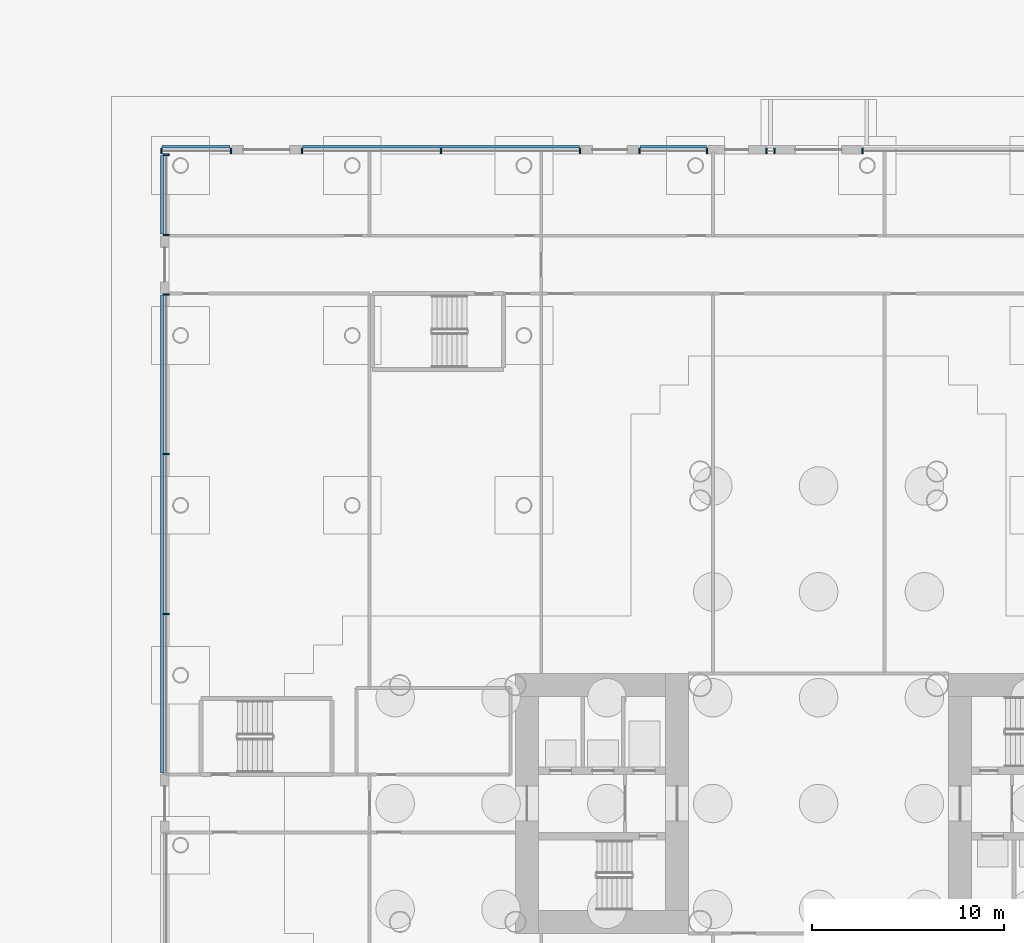
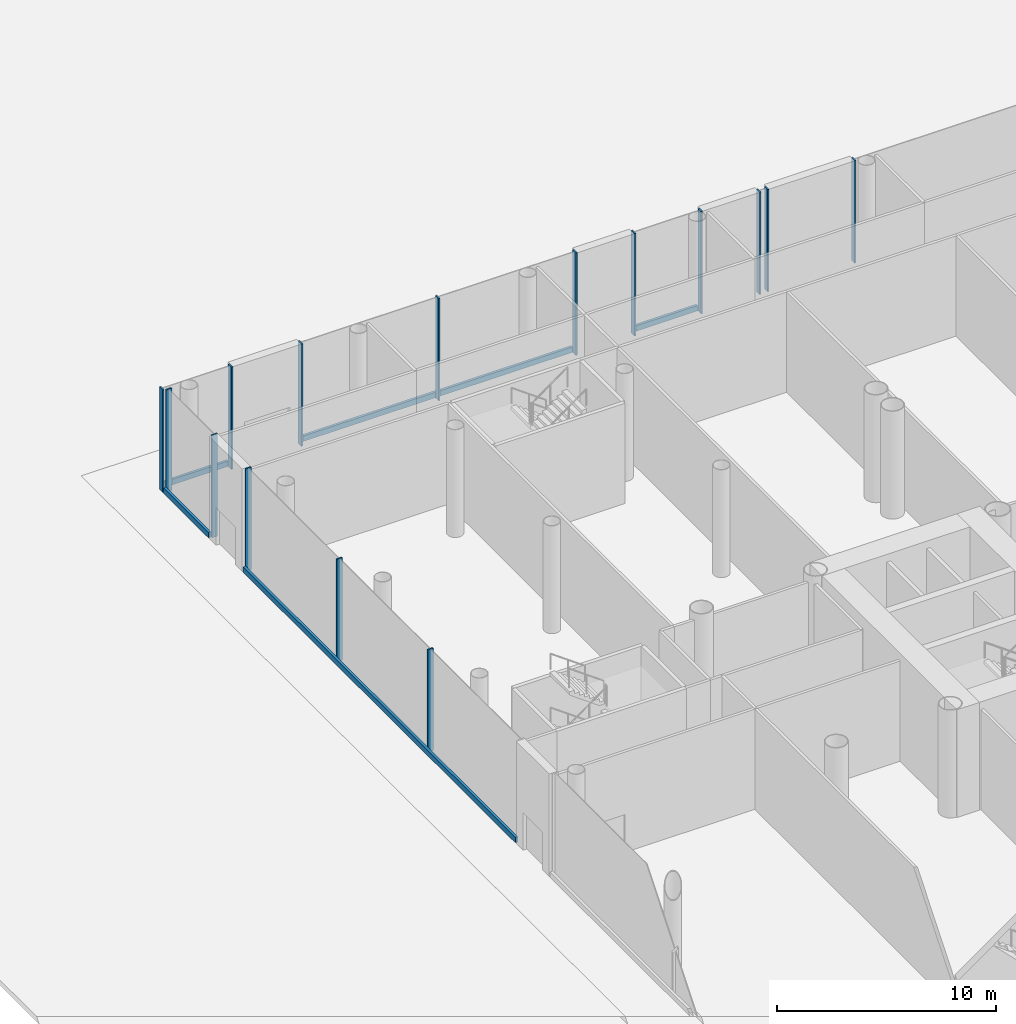
# One storey, part 11 of 75: 20 members, 7 elements without a shape of their own.
"""IFC4 building model written with IfcOpenShell, lengths in metres."""

from ifc_helpers import new_model, si_unit, direction, frame, origin, origin_2d, place, context, subcontext, project, spatial, rectangle, extrude, material, layer, layer_set, material_profile, profile_set, type_object, element, aggregate, save


model = new_model("IFC4")

# Units and contexts
model_context = context("Model", 3, precision=1e-05, world=origin(), true_north=direction((0.0, 1.0)))
body_context = subcontext(model_context, "Body", "Model", "MODEL_VIEW")
ifc_project = project(units=[si_unit("LENGTHUNIT", "METRE"), si_unit("AREAUNIT", "SQUARE_METRE"), si_unit("VOLUMEUNIT", "CUBIC_METRE"), si_unit("PLANEANGLEUNIT", "RADIAN"), si_unit("MASSUNIT", "GRAM", prefix="KILO")], contexts=[model_context])

# Site, building, storey
site_placement = place(None, origin())
site = spatial("IfcSite", under=ifc_project, at=site_placement, CompositionType="ELEMENT")
building_placement = place(site_placement, origin())
building = spatial("IfcBuilding", under=site, at=building_placement, Name="Ipe Terrace Towers", CompositionType="ELEMENT")
storey_placement = place(building_placement, origin())
storey = spatial("IfcBuildingStorey", under=building, at=storey_placement, Name="L00", CompositionType="ELEMENT", Elevation=0.0)

# Curtain wall, member
ifc_material_1 = material(Name="Aluminium alloy 6063-T6", Category="aluminium")
ifc_layer = layer(ifc_material_1, 0.43994140625)
ifc_layer_set = layer_set([ifc_layer], Name="PODIUM GLAZING CURTAIN WALL")
curtain_wall_type = type_object("IfcCurtainWallType", Name="PODIUM GLAZING CURTAIN WALL", PredefinedType="NOTDEFINED", material=ifc_layer_set)
curtain_wall_1_placement = place(storey_placement, origin())
curtain_wall_1 = element("IfcCurtainWall", 1, at=curtain_wall_1_placement, inside=storey, type_object=curtain_wall_type, Name="POD-CW-L00-01s curtain wall", PredefinedType="NOTDEFINED")
ifc_material_2 = material(Name="Aluminium alloy 6063-T6", Category="aluminium")
ifc_material_profile_1 = material_profile(ifc_material_2, rectangle(XDim=0.300048828125, YDim=0.080078125, at=origin_2d()), Name="PODIUM GLAZING MULLION 300 x 80")
ifc_profile_set_1 = profile_set([ifc_material_profile_1], Name="Aluminium alloy 6063-T6")
member_type_1 = type_object("IfcMemberType", Name="PODIUM GLAZING MULLION 300 x 80", PredefinedType="MULLION", material=ifc_profile_set_1)
member_1_placement = place(storey_placement, frame((-33.7099609375, 33.89990234375, 0.0), z_axis=(0.0, 0.0, 1.0), x_axis=(0.0, 1.0, 0.0)))
member_1 = element("IfcMember", 2, at=member_1_placement, type_object=member_type_1, Name="POD-CW-L00-01s mullion 2", PredefinedType="MULLION", context=body_context, shape_type="SweptSolid", body=[
    extrude(rectangle(XDim=0.300048828125, YDim=0.080078125, at=origin_2d()), origin(), (0.0, 0.0, 1.0), 5.699951171875),
])
aggregate(curtain_wall_1, [member_1])

# Curtain wall, members
curtain_wall_2_placement = place(storey_placement, origin())
curtain_wall_2 = element("IfcCurtainWall", 3, at=curtain_wall_2_placement, inside=storey, type_object=curtain_wall_type, Name="POD-CW-L00-01u curtain wall", PredefinedType="NOTDEFINED")
member_2_placement = place(storey_placement, frame((-38.2900390625, 33.89990234375, 0.0), z_axis=(0.0, 0.0, 1.0), x_axis=(0.0, 1.0, 0.0)))
member_2 = element("IfcMember", 4, at=member_2_placement, type_object=member_type_1, Name="POD-CW-L00-01u mullion 1", PredefinedType="MULLION", context=body_context, shape_type="SweptSolid", body=[
    extrude(rectangle(XDim=0.300048828125, YDim=0.080078125, at=origin_2d()), origin(), (0.0, 0.0, 1.0), 5.699951171875),
])
member_3_placement = place(storey_placement, frame((-38.7099609375, 33.89990234375, 0.0), z_axis=(0.0, 0.0, 1.0), x_axis=(0.0, 1.0, 0.0)))
member_3 = element("IfcMember", 5, at=member_3_placement, type_object=member_type_1, Name="POD-CW-L00-01u mullion 2", PredefinedType="MULLION", context=body_context, shape_type="SweptSolid", body=[
    extrude(rectangle(XDim=0.300048828125, YDim=0.080078125, at=origin_2d()), origin(), (0.0, 0.0, 1.0), 5.699951171875),
])
aggregate(curtain_wall_2, [member_2, member_3])

curtain_wall_3_placement = place(storey_placement, origin())
curtain_wall_3 = element("IfcCurtainWall", 6, at=curtain_wall_3_placement, inside=storey, type_object=curtain_wall_type, Name="POD-CW-L00-01w curtain wall", PredefinedType="NOTDEFINED")
member_4_placement = place(storey_placement, frame((-41.7900390625, 33.89990234375, 0.0), z_axis=(0.0, 0.0, 1.0), x_axis=(0.0, 1.0, 0.0)))
member_4 = element("IfcMember", 7, at=member_4_placement, type_object=member_type_1, Name="POD-CW-L00-01w mullion 1", PredefinedType="MULLION", context=body_context, shape_type="SweptSolid", body=[
    extrude(rectangle(XDim=0.300048828125, YDim=0.080078125, at=origin_2d()), origin(), (0.0, 0.0, 1.0), 5.699951171875),
])
member_5_placement = place(storey_placement, frame((-45.31005859375, 33.89990234375, 0.0), z_axis=(0.0, 0.0, 1.0), x_axis=(0.0, 1.0, 0.0)))
member_5 = element("IfcMember", 8, at=member_5_placement, type_object=member_type_1, Name="POD-CW-L00-01w mullion 2", PredefinedType="MULLION", context=body_context, shape_type="SweptSolid", body=[
    extrude(rectangle(XDim=0.300048828125, YDim=0.080078125, at=origin_2d()), origin(), (0.0, 0.0, 1.0), 5.699951171875),
])

curtain_wall_4_placement = place(storey_placement, origin())
curtain_wall_4 = element("IfcCurtainWall", 9, at=curtain_wall_4_placement, inside=storey, type_object=curtain_wall_type, Name="POD-CW-L00-01y curtain wall", PredefinedType="NOTDEFINED")
member_6_placement = place(storey_placement, frame((-48.389892578125, 33.89990234375, 0.0), z_axis=(0.0, 0.0, 1.0), x_axis=(0.0, 1.0, 0.0)))
member_6 = element("IfcMember", 10, at=member_6_placement, type_object=member_type_1, Name="POD-CW-L00-01y mullion 1", PredefinedType="MULLION", context=body_context, shape_type="SweptSolid", body=[
    extrude(rectangle(XDim=0.300048828125, YDim=0.080078125, at=origin_2d()), origin(), (0.0, 0.0, 1.0), 5.699951171875),
])
member_7_placement = place(storey_placement, frame((-55.6201171875, 33.89990234375, 0.0), z_axis=(0.0, 0.0, 1.0), x_axis=(0.0, 1.0, 0.0)))
member_7 = element("IfcMember", 11, at=member_7_placement, type_object=member_type_1, Name="POD-CW-L00-01y mullion 2", PredefinedType="MULLION", context=body_context, shape_type="SweptSolid", body=[
    extrude(rectangle(XDim=0.300048828125, YDim=0.080078125, at=origin_2d()), origin(), (0.0, 0.0, 1.0), 5.699951171875),
])
member_8_placement = place(storey_placement, frame((-62.85009765625, 33.89990234375, 0.0), z_axis=(0.0, 0.0, 1.0), x_axis=(0.0, 1.0, 0.0)))
member_8 = element("IfcMember", 12, at=member_8_placement, type_object=member_type_1, Name="POD-CW-L00-01y mullion 3", PredefinedType="MULLION", context=body_context, shape_type="SweptSolid", body=[
    extrude(rectangle(XDim=0.300048828125, YDim=0.080078125, at=origin_2d()), origin(), (0.0, 0.0, 1.0), 5.699951171875),
])

curtain_wall_5_placement = place(storey_placement, origin())
curtain_wall_5 = element("IfcCurtainWall", 13, at=curtain_wall_5_placement, inside=storey, type_object=curtain_wall_type, Name="POD-CW-L00-01{ curtain wall", PredefinedType="NOTDEFINED")
member_9_placement = place(storey_placement, frame((-66.530029296875, 33.89990234375, 0.0), z_axis=(0.0, 0.0, 1.0), x_axis=(0.0, 1.0, 0.0)))
member_9 = element("IfcMember", 14, at=member_9_placement, type_object=member_type_1, Name="POD-CW-L00-01{ mullion 1", PredefinedType="MULLION", context=body_context, shape_type="SweptSolid", body=[
    extrude(rectangle(XDim=0.300048828125, YDim=0.080078125, at=origin_2d()), origin(), (0.0, 0.0, 1.0), 5.699951171875),
])
member_10_placement = place(storey_placement, frame((-70.14990234375, 33.89990234375, 0.0), z_axis=(0.0, 0.0, 1.0), x_axis=(0.0, 1.0, 0.0)))
member_10 = element("IfcMember", 15, at=member_10_placement, type_object=member_type_1, Name="POD-CW-L00-01{ mullion 2", PredefinedType="MULLION", context=body_context, shape_type="SweptSolid", body=[
    extrude(rectangle(XDim=0.300048828125, YDim=0.080078125, at=origin_2d()), origin(), (0.0, 0.0, 1.0), 5.699951171875),
])

curtain_wall_6_placement = place(storey_placement, origin())
curtain_wall_6 = element("IfcCurtainWall", 16, at=curtain_wall_6_placement, inside=storey, type_object=curtain_wall_type, Name="POD-CW-L00-02a curtain wall", PredefinedType="NOTDEFINED")
member_11_placement = place(storey_placement, frame((-69.89990234375, 33.7099609375, 0.0), z_axis=(0.0, 0.0, 1.0), x_axis=(-1.0, 0.0, 0.0)))
member_11 = element("IfcMember", 17, at=member_11_placement, type_object=member_type_1, Name="POD-CW-L00-02a mullion 1", PredefinedType="MULLION", context=body_context, shape_type="SweptSolid", body=[
    extrude(rectangle(XDim=0.300048828125, YDim=0.080078125, at=origin_2d()), origin(), (0.0, 0.0, 1.0), 5.699951171875),
])
member_12_placement = place(storey_placement, frame((-69.89990234375, 29.5400390625, 0.0), z_axis=(0.0, 0.0, 1.0), x_axis=(-1.0, 0.0, 0.0)))
member_12 = element("IfcMember", 18, at=member_12_placement, type_object=member_type_1, Name="POD-CW-L00-02a mullion 2", PredefinedType="MULLION", context=body_context, shape_type="SweptSolid", body=[
    extrude(rectangle(XDim=0.300048828125, YDim=0.080078125, at=origin_2d()), origin(), (0.0, 0.0, 1.0), 5.699951171875),
])

curtain_wall_7_placement = place(storey_placement, origin())
curtain_wall_7 = element("IfcCurtainWall", 19, at=curtain_wall_7_placement, inside=storey, type_object=curtain_wall_type, Name="POD-CW-L00-02c curtain wall", PredefinedType="NOTDEFINED")
member_13_placement = place(storey_placement, frame((-69.89990234375, 26.4599609375, 0.0), z_axis=(0.0, 0.0, 1.0), x_axis=(-1.0, 0.0, 0.0)))
member_13 = element("IfcMember", 20, at=member_13_placement, type_object=member_type_1, Name="POD-CW-L00-02c mullion 1", PredefinedType="MULLION", context=body_context, shape_type="SweptSolid", body=[
    extrude(rectangle(XDim=0.300048828125, YDim=0.080078125, at=origin_2d()), origin(), (0.0, 0.0, 1.0), 5.699951171875),
])
member_14_placement = place(storey_placement, frame((-69.89990234375, 18.1533203125, 0.0), z_axis=(0.0, 0.0, 1.0), x_axis=(-1.0, 0.0, 0.0)))
member_14 = element("IfcMember", 21, at=member_14_placement, type_object=member_type_1, Name="POD-CW-L00-02c mullion 2", PredefinedType="MULLION", context=body_context, shape_type="SweptSolid", body=[
    extrude(rectangle(XDim=0.300048828125, YDim=0.080078125, at=origin_2d()), origin(), (0.0, 0.0, 1.0), 5.699951171875),
])
member_15_placement = place(storey_placement, frame((-69.89990234375, 9.8466796875, 0.0), z_axis=(0.0, 0.0, 1.0), x_axis=(-1.0, 0.0, 0.0)))
member_15 = element("IfcMember", 22, at=member_15_placement, type_object=member_type_1, Name="POD-CW-L00-02c mullion 3", PredefinedType="MULLION", context=body_context, shape_type="SweptSolid", body=[
    extrude(rectangle(XDim=0.300048828125, YDim=0.080078125, at=origin_2d()), origin(), (0.0, 0.0, 1.0), 5.699951171875),
])

# Member
ifc_material_3 = material(Name="Aluminium alloy 6063-T6", Category="aluminium")
ifc_material_profile_2 = material_profile(ifc_material_3, rectangle(XDim=0.139892578125, YDim=0.300048828125, at=origin_2d()), Name="PODIUM GLAZING TRANSOM 140 x 300")
ifc_profile_set_2 = profile_set([ifc_material_profile_2], Name="Aluminium alloy 6063-T6")
member_type_2 = type_object("IfcMemberType", Name="PODIUM GLAZING TRANSOM 140 x 300", PredefinedType="USERDEFINED", material=ifc_profile_set_2)
member_16_placement = place(storey_placement, frame((-41.830078125, 34.1201171875, 0.14990234375), z_axis=(-1.0, 0.0, 0.0), x_axis=(0.0, 1.0, 0.0)))
member_16 = element("IfcMember", 23, at=member_16_placement, type_object=member_type_2, Name="POD-CW-L00-01w transom", ObjectType="TRANSOM", PredefinedType="USERDEFINED", context=body_context, shape_type="SweptSolid", body=[
    extrude(rectangle(XDim=0.139892578125, YDim=0.300048828125, at=origin_2d()), origin(), (0.0, 0.0, 1.0), 3.43994140625),
])

aggregate(curtain_wall_3, [member_4, member_5, member_16])

member_17_placement = place(storey_placement, frame((-48.429931640625, 34.1201171875, 0.14990234375), z_axis=(-1.0, 0.0, 0.0), x_axis=(0.0, 1.0, 0.0)))
member_17 = element("IfcMember", 24, at=member_17_placement, type_object=member_type_2, Name="POD-CW-L00-01y transom", ObjectType="TRANSOM", PredefinedType="USERDEFINED", context=body_context, shape_type="SweptSolid", body=[
    extrude(rectangle(XDim=0.139892578125, YDim=0.300048828125, at=origin_2d()), origin(), (0.0, 0.0, 1.0), 14.380126953125),
])

aggregate(curtain_wall_4, [member_6, member_7, member_8, member_17])

member_18_placement = place(storey_placement, frame((-66.570068359375, 34.1201171875, 0.14990234375), z_axis=(-1.0, 0.0, 0.0), x_axis=(0.0, 1.0, 0.0)))
member_18 = element("IfcMember", 25, at=member_18_placement, type_object=member_type_2, Name="POD-CW-L00-01{ transom", ObjectType="TRANSOM", PredefinedType="USERDEFINED", context=body_context, shape_type="SweptSolid", body=[
    extrude(rectangle(XDim=0.139892578125, YDim=0.300048828125, at=origin_2d()), origin(), (0.0, 0.0, 1.0), 3.5400390625),
])

aggregate(curtain_wall_5, [member_9, member_10, member_18])

member_19_placement = place(storey_placement, frame((-70.1201171875, 33.669921875, 0.14990234375), z_axis=(0.0, -1.0, 0.0), x_axis=(-1.0, 0.0, 0.0)))
member_19 = element("IfcMember", 26, at=member_19_placement, type_object=member_type_2, Name="POD-CW-L00-02a transom", ObjectType="TRANSOM", PredefinedType="USERDEFINED", context=body_context, shape_type="SweptSolid", body=[
    extrude(rectangle(XDim=0.139892578125, YDim=0.300048828125, at=origin_2d()), origin(), (0.0, 0.0, 1.0), 4.08984375),
])

aggregate(curtain_wall_6, [member_11, member_12, member_19])

member_20_placement = place(storey_placement, frame((-70.1201171875, 26.419921875, 0.14990234375), z_axis=(0.0, -1.0, 0.0), x_axis=(-1.0, 0.0, 0.0)))
member_20 = element("IfcMember", 27, at=member_20_placement, type_object=member_type_2, Name="POD-CW-L00-02c transom", ObjectType="TRANSOM", PredefinedType="USERDEFINED", context=body_context, shape_type="SweptSolid", body=[
    extrude(rectangle(XDim=0.139892578125, YDim=0.300048828125, at=origin_2d()), origin(), (0.0, 0.0, 1.0), 24.83984375),
])

aggregate(curtain_wall_7, [member_13, member_14, member_15, member_20])

save(model, "model.ifc")
